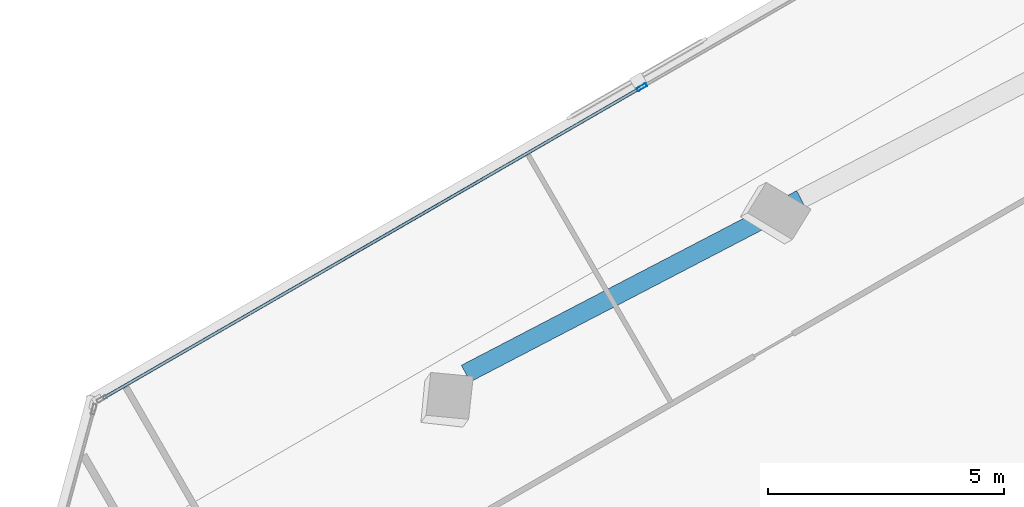
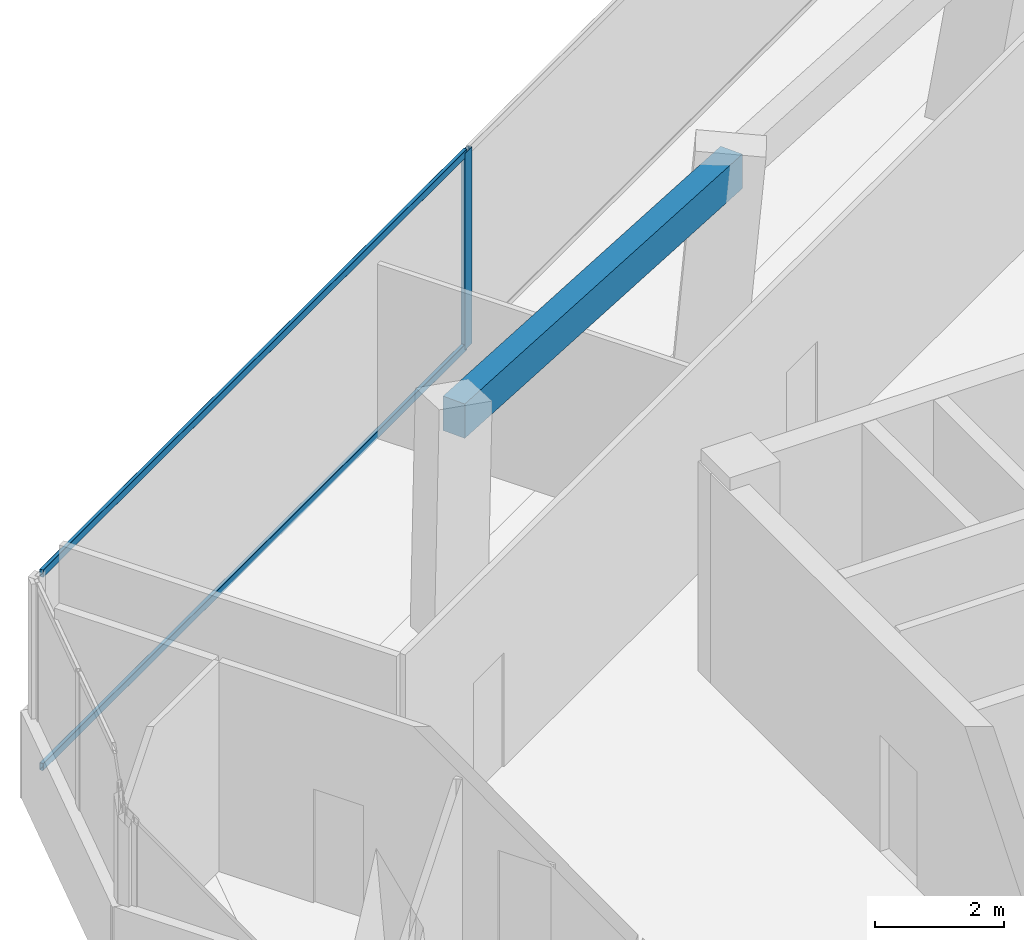
# One storey, part 7 of 15: 3 members, 1 beam, 1 element without a shape of its own.
"""IFC4 building model written with IfcOpenShell, lengths in metres."""

from ifc_helpers import new_model, si_unit, direction, frame, origin, origin_2d, place, context, subcontext, project, spatial, rectangle, hollow_rectangle, extrude, source, transform, mapped, material, material_profile, profile_set, type_object, element, aggregate, save


model = new_model("IFC4")

# Units and contexts
model_context = context("Model", 3, precision=1e-05, world=origin(), true_north=direction((0.0, 1.0)))
body_context = subcontext(model_context, "Body", "Model", "MODEL_VIEW")
ifc_project = project(units=[si_unit("LENGTHUNIT", "METRE"), si_unit("AREAUNIT", "SQUARE_METRE"), si_unit("VOLUMEUNIT", "CUBIC_METRE"), si_unit("PLANEANGLEUNIT", "RADIAN"), si_unit("MASSUNIT", "GRAM", prefix="KILO")], contexts=[model_context])

# Site, building, storey
site_placement = place(None, origin())
site = spatial("IfcSite", under=ifc_project, at=site_placement, CompositionType="ELEMENT")
building_placement = place(site_placement, origin())
building = spatial("IfcBuilding", under=site, at=building_placement, Name="Torre Montelarca", CompositionType="ELEMENT")
storey_placement = place(building_placement, frame((0.0, 0.0, 324.0)))
storey = spatial("IfcBuildingStorey", under=building, at=storey_placement, Name="L73", CompositionType="ELEMENT", Elevation=324.0)

# Beam
ifc_material_1 = material(Name="Concrete C40/50", Category="concrete")
ifc_material_profile_1 = material_profile(ifc_material_1, rectangle(XDim=0.39990234375, YDim=0.64990234375, at=origin_2d()), Name="RCB400X650", Category="concrete")
ifc_profile_set_1 = profile_set([ifc_material_profile_1], Name="Concrete C40/50")
beam_type = type_object("IfcBeamType", Name="BM-SP-RC650-EXT", PredefinedType="SPANDREL", material=ifc_profile_set_1)
shared_shape_1 = source(origin(), body_context, "Body", "SweptSolid", [
    extrude(rectangle(XDim=0.39990234375, YDim=0.64990234375, at=origin_2d()), origin(), (0.0, 0.0, 1.0), 8.0),
])
beam_placement = place(storey_placement, frame((6.623291015625, 43.252197265625, 3.635009765625), z_axis=(0.887020855989, 0.461729359084, 0.0), x_axis=(-0.461729359084, 0.887020855989, 0.0)))
element("IfcBeam", 1, at=beam_placement, inside=storey, type_object=beam_type, Name="L73 Grid Girder Y 24.0-32.0 at X=4.7", PredefinedType="SPANDREL", context=body_context, shape_type="MappedRepresentation", body=[
    mapped(shared_shape_1, transform((0.0, 0.0, 0.0), scale=1.0)),
])

# Curtain wall, members
ifc_material_2 = material(Name="Insulated low-E laminated glass", Category="glass")
curtain_wall_type = type_object("IfcCurtainWallType", Name="CW-SYS-Z4", PredefinedType="USERDEFINED", material=ifc_material_2)
curtain_wall_placement = place(storey_placement, origin())
curtain_wall = element("IfcCurtainWall", 2, at=curtain_wall_placement, inside=storey, type_object=curtain_wall_type, Name="L73 Curtain Wall Run CW-T3-L73-E10-B1", ObjectType="UNITISED GLAZING", PredefinedType="USERDEFINED")
ifc_material_3 = material(Name="Anodised aluminium AA 6063-T6", Category="aluminium")
ifc_material_profile_2 = material_profile(ifc_material_3, hollow_rectangle(XDim=0.074951171875, YDim=0.219970703125, WallThickness=0.0048828125, InnerFilletRadius=0.0048828125, OuterFilletRadius=0.010009765625, at=origin_2d()), Name="ALU75X220X5", Category="aluminium")
ifc_profile_set_2 = profile_set([ifc_material_profile_2], Name="Anodised aluminium AA 6063-T6")
member_type_1 = type_object("IfcMemberType", Name="CWM-ALU220", PredefinedType="MULLION", material=ifc_profile_set_2)
shared_shape_2 = source(origin(), body_context, "Body", "SweptSolid", [
    extrude(hollow_rectangle(XDim=0.074951171875, YDim=0.219970703125, WallThickness=0.0048828125, InnerFilletRadius=0.0048828125, OuterFilletRadius=0.010009765625, at=origin_2d()), origin(), (0.0, 0.0, 1.0), 3.719970703125),
])
member_1_placement = place(storey_placement, frame((10.348876953125, 49.314208984375, 0.0), z_axis=(0.0, 0.0, 1.0), x_axis=(0.500000111201, -0.866025339582, 0.0)))
member_1 = element("IfcMember", 3, at=member_1_placement, type_object=member_type_1, Name="CW mullion 2", PredefinedType="MULLION", context=body_context, shape_type="MappedRepresentation", body=[
    mapped(shared_shape_2, transform((0.0, 0.0, 0.0), scale=1.0)),
])
ifc_material_profile_3 = material_profile(ifc_material_3, hollow_rectangle(XDim=0.06494140625, YDim=0.139892578125, WallThickness=0.00390625, InnerFilletRadius=0.00390625, OuterFilletRadius=0.008056640625, at=origin_2d()), Name="ALU65X140X4", Category="aluminium")
ifc_profile_set_3 = profile_set([ifc_material_profile_3], Name="Anodised aluminium AA 6063-T6")
member_type_2 = type_object("IfcMemberType", Name="CWT-ALU140", PredefinedType="USERDEFINED", material=ifc_profile_set_3)
shared_shape_3 = source(origin(), body_context, "Body", "SweptSolid", [
    extrude(hollow_rectangle(XDim=0.06494140625, YDim=0.139892578125, WallThickness=0.00390625, InnerFilletRadius=0.00390625, OuterFilletRadius=0.008056640625, at=origin_2d()), origin(), (0.0, 0.0, 1.0), 13.121826171875),
])
member_2_placement = place(storey_placement, frame((10.31640625, 49.29541015625, 0.032470703125), z_axis=(-0.866028188362, -0.49999517694, 0.0), x_axis=(0.49999517694, -0.866028188362, 0.0)))
member_2 = element("IfcMember", 4, at=member_2_placement, type_object=member_type_2, Name="CW transom 2.1", ObjectType="TRANSOM", PredefinedType="USERDEFINED", context=body_context, shape_type="MappedRepresentation", body=[
    mapped(shared_shape_3, transform((0.0, 0.0, 0.0), scale=1.0)),
])
member_3_placement = place(storey_placement, frame((10.31640625, 49.29541015625, 3.6875), z_axis=(-0.866028188362, -0.49999517694, 0.0), x_axis=(0.49999517694, -0.866028188362, 0.0)))
member_3 = element("IfcMember", 5, at=member_3_placement, type_object=member_type_2, Name="CW transom 2.2", ObjectType="TRANSOM", PredefinedType="USERDEFINED", context=body_context, shape_type="MappedRepresentation", body=[
    mapped(shared_shape_3, transform((0.0, 0.0, 0.0), scale=1.0)),
])
aggregate(curtain_wall, [member_1, member_2, member_3])

save(model, "model.ifc")
